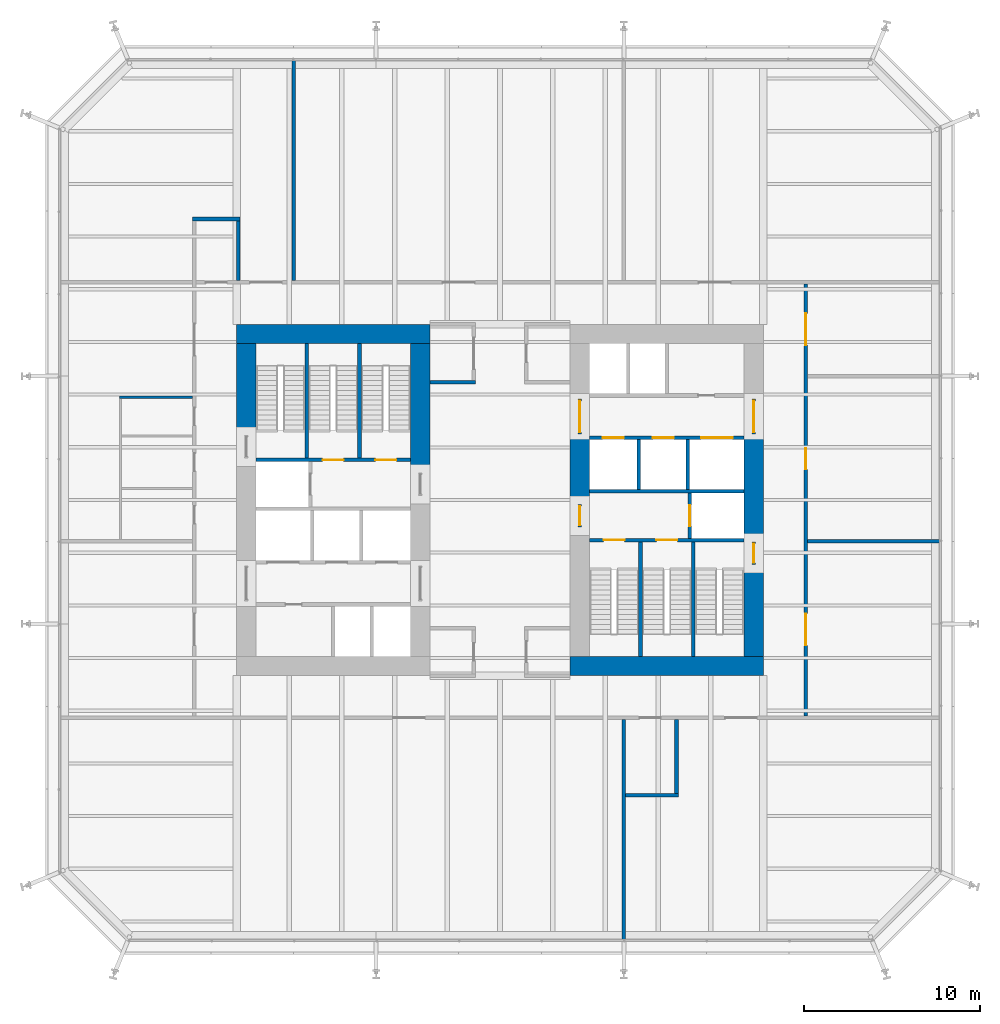
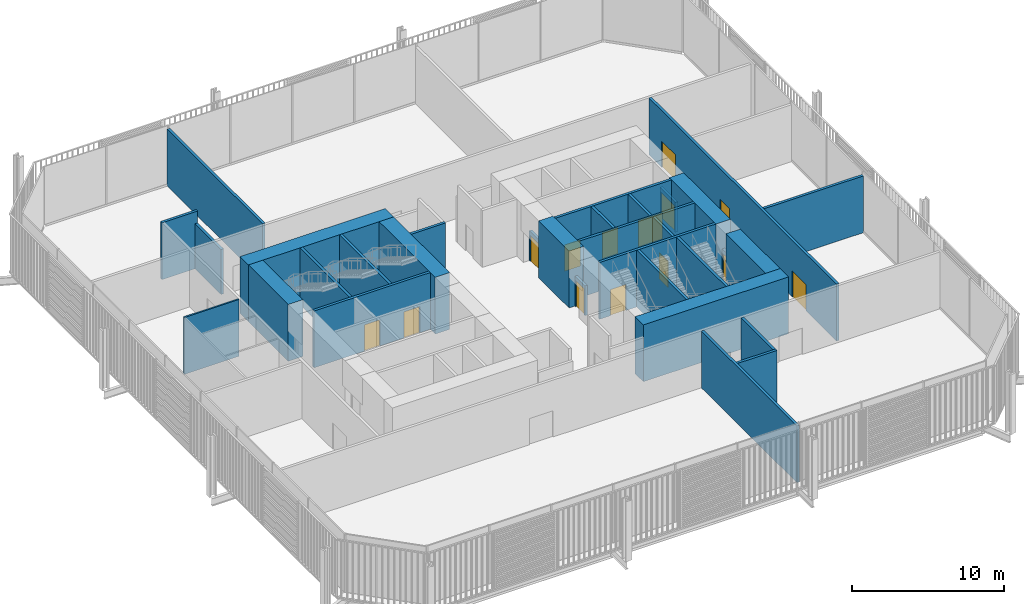
# One storey, part 19 of 22: 32 walls, 15 doors, 15 openings.
"""IFC4 building model written with IfcOpenShell, lengths in metres."""

from ifc_helpers import new_model, si_unit, direction, frame, frame_2d, origin, place, context, subcontext, project, spatial, rectangle, extrude, material, layer, layer_set, type_object, element, fill, save


model = new_model("IFC4")

# Units and contexts
model_context = context("Model", 3, precision=1e-05, world=origin(), true_north=direction((0.0, 1.0)))
body_context = subcontext(model_context, "Body", "Model", "MODEL_VIEW")
ifc_project = project(units=[si_unit("LENGTHUNIT", "METRE"), si_unit("AREAUNIT", "SQUARE_METRE"), si_unit("VOLUMEUNIT", "CUBIC_METRE"), si_unit("PLANEANGLEUNIT", "RADIAN"), si_unit("MASSUNIT", "GRAM", prefix="KILO")], contexts=[model_context])

# Site, building, storey
site_placement = place(None, origin())
site = spatial("IfcSite", under=ifc_project, at=site_placement, CompositionType="ELEMENT")
building_placement = place(site_placement, origin())
building = spatial("IfcBuilding", under=site, at=building_placement, Name="Millrace Tower", CompositionType="ELEMENT")
storey_placement = place(building_placement, frame((0.0, 0.0, 59.300048828125)))
storey = spatial("IfcBuildingStorey", under=building, at=storey_placement, Name="L13", CompositionType="ELEMENT", Elevation=59.300048828125)

# Walls
ifc_material_1 = material(Name="Concrete C80", Category="concrete")
ifc_layer_1 = layer(ifc_material_1, 1.10009765625)
ifc_layer_set_1 = layer_set([ifc_layer_1], Name="Concrete C80")
wall_type_1 = type_object("IfcWallType", Name="Core wall 1100 Concrete C80", PredefinedType="SHEAR", material=ifc_layer_set_1)
wall_1_placement = place(storey_placement, frame((-15.0, 9.449951171875, 0.0), z_axis=(0.0, 0.0, 1.0), x_axis=(1.0, 0.0, 0.0)))
element("IfcWall", 1, at=wall_1_placement, inside=storey, type_object=wall_type_1, Name="Core wall W L13", PredefinedType="SHEAR", context=body_context, shape_type="SweptSolid", body=[
    extrude(rectangle(XDim=11.0, YDim=1.10009765625, at=frame_2d((5.5, 0.0))), origin(), (0.0, 0.0, 1.0), 4.550048828125),
])
wall_2_placement = place(storey_placement, frame((-14.449951171875, 3.679931640625, 0.0), z_axis=(0.0, 0.0, 1.0), x_axis=(0.0, 1.0, 0.0)))
element("IfcWall", 2, at=wall_2_placement, inside=storey, type_object=wall_type_1, Name="Core wall W L13", PredefinedType="SHEAR", context=body_context, shape_type="SweptSolid", body=[
    extrude(rectangle(XDim=5.219970703125, YDim=1.10009765625, at=frame_2d((2.60986328125, 0.0))), origin(), (0.0, 0.0, 1.0), 4.550048828125),
])
wall_3_placement = place(storey_placement, frame((-4.550048828125, 1.550048828125, 0.0), z_axis=(0.0, 0.0, 1.0), x_axis=(0.0, 1.0, 0.0)))
element("IfcWall", 3, at=wall_3_placement, inside=storey, type_object=wall_type_1, Name="Core wall W L13", PredefinedType="SHEAR", context=body_context, shape_type="SweptSolid", body=[
    extrude(rectangle(XDim=7.349853515625, YDim=1.10009765625, at=frame_2d((3.6748046875, 0.0))), origin(), (0.0, 0.0, 1.0), 4.550048828125),
])
wall_4_placement = place(storey_placement, frame((15.0, -9.449951171875, 0.0), z_axis=(0.0, 0.0, 1.0), x_axis=(-1.0, 0.0, 0.0)))
element("IfcWall", 4, at=wall_4_placement, inside=storey, type_object=wall_type_1, Name="Core wall E L13", PredefinedType="SHEAR", context=body_context, shape_type="SweptSolid", body=[
    extrude(rectangle(XDim=11.0, YDim=1.10009765625, at=frame_2d((5.5, 0.0))), origin(), (0.0, 0.0, 1.0), 4.550048828125),
])
wall_5_placement = place(storey_placement, frame((14.449951171875, 3.75, 0.0), z_axis=(0.0, 0.0, 1.0), x_axis=(0.0, -1.0, 0.0)))
element("IfcWall", 5, at=wall_5_placement, inside=storey, type_object=wall_type_1, Name="Core wall E L13", PredefinedType="SHEAR", context=body_context, shape_type="SweptSolid", body=[
    extrude(rectangle(XDim=6.1298828125, YDim=1.10009765625, at=frame_2d((3.06494140625, 0.0))), origin(), (0.0, 0.0, 1.0), 4.550048828125),
])
wall_6_placement = place(storey_placement, frame((14.449951171875, -3.679931640625, 0.0), z_axis=(0.0, 0.0, 1.0), x_axis=(0.0, -1.0, 0.0)))
element("IfcWall", 6, at=wall_6_placement, inside=storey, type_object=wall_type_1, Name="Core wall E L13", PredefinedType="SHEAR", context=body_context, shape_type="SweptSolid", body=[
    extrude(rectangle(XDim=5.219970703125, YDim=1.10009765625, at=frame_2d((2.60986328125, 0.0))), origin(), (0.0, 0.0, 1.0), 4.550048828125),
])
wall_7_placement = place(storey_placement, frame((4.550048828125, 3.75, 0.0), z_axis=(0.0, 0.0, 1.0), x_axis=(0.0, -1.0, 0.0)))
element("IfcWall", 7, at=wall_7_placement, inside=storey, type_object=wall_type_1, Name="Core wall E L13", PredefinedType="SHEAR", context=body_context, shape_type="SweptSolid", body=[
    extrude(rectangle(XDim=4.0, YDim=1.10009765625, at=frame_2d((2.0, 0.0))), origin(), (0.0, 0.0, 1.0), 4.550048828125),
])
ifc_material_2 = material(Name="Masonry partition, fire-rated", Category="masonry")
ifc_layer_2 = layer(ifc_material_2, 0.199951171875)
ifc_layer_set_2 = layer_set([ifc_layer_2], Name="Masonry partition, fire-rated")
wall_type_2 = type_object("IfcWallType", Name="Corridor wall 200", PredefinedType="PARTITIONING", material=ifc_layer_set_2)
wall_8_placement = place(storey_placement, frame((7.14990234375, -16.800048828125, 0.0), z_axis=(0.0, 0.0, 1.0), x_axis=(1.0, 0.0, 0.0)))
element("IfcWall", 8, at=wall_8_placement, inside=storey, type_object=wall_type_2, Name="Corridor wall L13", PredefinedType="PARTITIONING", context=body_context, shape_type="SweptSolid", body=[
    extrude(rectangle(XDim=3.0, YDim=0.199951171875, at=frame_2d((1.5, 0.0))), origin(), (0.0, 0.0, 1.0), 4.550048828125),
])
wall_9_placement = place(storey_placement, frame((17.5, -2.35009765625, 0.0), z_axis=(0.0, 0.0, 1.0), x_axis=(1.0, 0.0, 0.0)))
element("IfcWall", 9, at=wall_9_placement, inside=storey, type_object=wall_type_2, Name="Corridor wall L13", PredefinedType="PARTITIONING", context=body_context, shape_type="SweptSolid", body=[
    extrude(rectangle(XDim=7.530029296875, YDim=0.199951171875, at=frame_2d((3.76513671875, 0.0))), origin(), (0.0, 0.0, 1.0), 4.550048828125),
])
wall_10_placement = place(storey_placement, frame((-4.0, 6.699951171875, 0.0), z_axis=(0.0, 0.0, 1.0), x_axis=(1.0, 0.0, 0.0)))
element("IfcWall", 10, at=wall_10_placement, inside=storey, type_object=wall_type_2, Name="Corridor wall L13", PredefinedType="PARTITIONING", context=body_context, shape_type="SweptSolid", body=[
    extrude(rectangle(XDim=2.60009765625, YDim=0.199951171875, at=frame_2d((1.300048828125, 0.0))), origin(), (0.0, 0.0, 1.0), 4.550048828125),
])
wall_11_placement = place(storey_placement, frame((-17.5, 16.0, 0.0), z_axis=(0.0, 0.0, 1.0), x_axis=(1.0, 0.0, 0.0)))
element("IfcWall", 11, at=wall_11_placement, inside=storey, type_object=wall_type_2, Name="Corridor wall L13", PredefinedType="PARTITIONING", context=body_context, shape_type="SweptSolid", body=[
    extrude(rectangle(XDim=2.699951171875, YDim=0.199951171875, at=frame_2d((1.35009765625, 0.0))), origin(), (0.0, 0.0, 1.0), 4.550048828125),
])

# Wall, openings, doors
wall_12_placement = place(storey_placement, frame((17.39990234375, -12.300048828125, 0.0), z_axis=(0.0, 0.0, 1.0), x_axis=(0.0, 1.0, 0.0)))
wall_12 = element("IfcWall", 12, at=wall_12_placement, inside=storey, type_object=wall_type_2, Name="Corridor wall L13", PredefinedType="PARTITIONING", context=body_context, shape_type="SweptSolid", body=[
    extrude(rectangle(XDim=24.60009765625, YDim=0.199951171875, at=frame_2d((12.300048828125, 0.0))), origin(), (0.0, 0.0, 1.0), 4.550048828125),
])
opening_1_placement = place(wall_12_placement, frame((4.02490234375, 0.0, 0.0)))
opening_1 = element("IfcOpeningElement", 13, at=opening_1_placement, cuts=wall_12, Name="Opening 13-P012", PredefinedType="OPENING", context=body_context, shape_type="SweptSolid", body=[
    extrude(rectangle(XDim=1.800048828125, YDim=2.10009765625, at=frame_2d((0.89990234375, 1.050048828125))), frame((0.0, 0.10986328125, 0.0), z_axis=(0.0, -1.0, 0.0), x_axis=(1.0, 0.0, 0.0)), (0.0, 0.0, 1.0), 0.219970703125),
])
opening_2_placement = place(wall_12_placement, frame((14.050048828125, 0.0, 0.0)))
opening_2 = element("IfcOpeningElement", 14, at=opening_2_placement, cuts=wall_12, Name="Opening 13-P013", PredefinedType="OPENING", context=body_context, shape_type="SweptSolid", body=[
    extrude(rectangle(XDim=1.199951171875, YDim=2.10009765625, at=frame_2d((0.60009765625, 1.050048828125))), frame((0.0, 0.10986328125, 0.0), z_axis=(0.0, -1.0, 0.0), x_axis=(1.0, 0.0, 0.0)), (0.0, 0.0, 1.0), 0.219970703125),
])
opening_3_placement = place(wall_12_placement, frame((21.125, 0.0, 0.0)))
opening_3 = element("IfcOpeningElement", 15, at=opening_3_placement, cuts=wall_12, Name="Opening 13-P014", PredefinedType="OPENING", context=body_context, shape_type="SweptSolid", body=[
    extrude(rectangle(XDim=1.800048828125, YDim=2.10009765625, at=frame_2d((0.89990234375, 1.050048828125))), frame((0.0, 0.10986328125, 0.0), z_axis=(0.0, -1.0, 0.0), x_axis=(1.0, 0.0, 0.0)), (0.0, 0.0, 1.0), 0.219970703125),
])
ifc_material_3 = material(Name="Steel door set, fire-rated", Category="steel")
door_type_1 = type_object("IfcDoorType", Name="Corridor door 1200 x 2100", OperationType="SINGLE_SWING_LEFT", PredefinedType="DOOR", material=ifc_material_3)
door_1_placement = place(opening_2_placement, frame((1.199951171875, 0.0, 0.0), z_axis=(0.0, 0.0, 1.0), x_axis=(-1.0, 0.0, 0.0)))
door_1 = element("IfcDoor", 16, at=door_1_placement, inside=storey, type_object=door_type_1, Name="Door 13-P013", OperationType="SINGLE_SWING_LEFT", OverallHeight=2.10009765625, OverallWidth=1.199951171875, PredefinedType="DOOR", context=body_context, shape_type="SweptSolid", body=[
    extrude(rectangle(XDim=1.199951171875, YDim=2.10009765625, at=frame_2d((0.60009765625, 1.050048828125))), frame((0.0, 0.02490234375, 0.0), z_axis=(0.0, -1.0, 0.0), x_axis=(1.0, 0.0, 0.0)), (0.0, 0.0, 1.0), 0.050048828125),
])
fill(opening_2, door_1)
ifc_material_4 = material(Name="Steel door set, fire-rated", Category="steel")
door_type_2 = type_object("IfcDoorType", Name="Data hall door 1800 x 2100", OperationType="DOUBLE_DOOR_SINGLE_SWING", PredefinedType="DOOR", material=ifc_material_4)
door_2_placement = place(opening_1_placement, frame((1.800048828125, 0.0, 0.0), z_axis=(0.0, 0.0, 1.0), x_axis=(-1.0, 0.0, 0.0)))
door_2 = element("IfcDoor", 17, at=door_2_placement, inside=storey, type_object=door_type_2, Name="Door 13-P012", OperationType="DOUBLE_DOOR_SINGLE_SWING", OverallHeight=2.10009765625, OverallWidth=1.800048828125, PredefinedType="DOOR", context=body_context, shape_type="SweptSolid", body=[
    extrude(rectangle(XDim=1.800048828125, YDim=2.10009765625, at=frame_2d((0.89990234375, 1.050048828125))), frame((0.0, 0.02490234375, 0.0), z_axis=(0.0, -1.0, 0.0), x_axis=(1.0, 0.0, 0.0)), (0.0, 0.0, 1.0), 0.050048828125),
])
fill(opening_1, door_2)
door_3_placement = place(opening_3_placement, frame((1.800048828125, 0.0, 0.0), z_axis=(0.0, 0.0, 1.0), x_axis=(-1.0, 0.0, 0.0)))
door_3 = element("IfcDoor", 18, at=door_3_placement, inside=storey, type_object=door_type_2, Name="Door 13-P014", OperationType="DOUBLE_DOOR_SINGLE_SWING", OverallHeight=2.10009765625, OverallWidth=1.800048828125, PredefinedType="DOOR", context=body_context, shape_type="SweptSolid", body=[
    extrude(rectangle(XDim=1.800048828125, YDim=2.10009765625, at=frame_2d((0.89990234375, 1.050048828125))), frame((0.0, 0.02490234375, 0.0), z_axis=(0.0, -1.0, 0.0), x_axis=(1.0, 0.0, 0.0)), (0.0, 0.0, 1.0), 0.050048828125),
])
fill(opening_3, door_3)

# Walls
wall_13_placement = place(storey_placement, frame((10.050048828125, -16.699951171875, 0.0), z_axis=(0.0, 0.0, 1.0), x_axis=(0.0, 1.0, 0.0)))
element("IfcWall", 19, at=wall_13_placement, inside=storey, type_object=wall_type_2, Name="Corridor wall L13", PredefinedType="PARTITIONING", context=body_context, shape_type="SweptSolid", body=[
    extrude(rectangle(XDim=4.199951171875, YDim=0.199951171875, at=frame_2d((2.10009765625, 0.0))), origin(), (0.0, 0.0, 1.0), 4.550048828125),
])
for number, where, z_axis, x_axis, name in (
    (20, (7.050048828125, -25.030029296875, 0.0), (0.0, 0.0, 1.0), (0.0, 1.0, 0.0), "Corridor wall L13"),
    (21, (-11.75, 12.5, 0.0), (0.0, 0.0, 1.0), (0.0, 1.0, 0.0), "Corridor wall L13"),
):
    element("IfcWall", number, at=place(storey_placement, frame(where, z_axis=z_axis, x_axis=x_axis)), inside=storey, type_object=wall_type_2, Name=name, PredefinedType="PARTITIONING", context=body_context, shape_type="SweptSolid", body=[
        extrude(rectangle(XDim=12.530029296875, YDim=0.199951171875, at=frame_2d((6.26513671875, 0.0))), origin(), (0.0, 0.0, 1.0), 4.550048828125),
    ])
wall_14_placement = place(storey_placement, frame((-14.89990234375, 12.5, 0.0), z_axis=(0.0, 0.0, 1.0), x_axis=(0.0, 1.0, 0.0)))
element("IfcWall", 22, at=wall_14_placement, inside=storey, type_object=wall_type_2, Name="Corridor wall L13", PredefinedType="PARTITIONING", context=body_context, shape_type="SweptSolid", body=[
    extrude(rectangle(XDim=3.39990234375, YDim=0.199951171875, at=frame_2d((1.699951171875, 0.0))), origin(), (0.0, 0.0, 1.0), 3.6025390625),
])

# Wall, openings, doors
ifc_material_5 = material(Name="Masonry partition, fire-rated", Category="masonry")
ifc_layer_3 = layer(ifc_material_5, 0.199951171875)
ifc_layer_set_3 = layer_set([ifc_layer_3], Name="Masonry partition, fire-rated")
wall_type_3 = type_object("IfcWallType", Name="Lift shaft wall 200", PredefinedType="PARTITIONING", material=ifc_layer_set_3)
wall_15_placement = place(storey_placement, frame((13.89990234375, 3.550048828125, 0.0), z_axis=(0.0, 0.0, 1.0), x_axis=(-1.0, 0.0, 0.0)))
wall_15 = element("IfcWall", 23, at=wall_15_placement, inside=storey, type_object=wall_type_3, Name="Lift shaft wall E L13", PredefinedType="PARTITIONING", context=body_context, shape_type="SweptSolid", body=[
    extrude(rectangle(XDim=8.7998046875, YDim=0.199951171875, at=frame_2d((4.39990234375, 0.0))), origin(), (0.0, 0.0, 1.0), 4.550048828125),
])
opening_4_placement = place(wall_15_placement, frame((0.64990234375, 0.0, 0.0)))
opening_4 = element("IfcOpeningElement", 24, at=opening_4_placement, cuts=wall_15, Name="Opening 13-LD13", PredefinedType="OPENING", context=body_context, shape_type="SweptSolid", body=[
    extrude(rectangle(XDim=1.800048828125, YDim=2.10009765625, at=frame_2d((0.89990234375, 1.050048828125))), frame((0.0, 0.10986328125, 0.0), z_axis=(0.0, -1.0, 0.0), x_axis=(1.0, 0.0, 0.0)), (0.0, 0.0, 1.0), 0.219970703125),
])
opening_5_placement = place(wall_15_placement, frame((4.0, 0.0, 0.0)))
opening_5 = element("IfcOpeningElement", 25, at=opening_5_placement, cuts=wall_15, Name="Opening 13-LD14", PredefinedType="OPENING", context=body_context, shape_type="SweptSolid", body=[
    extrude(rectangle(XDim=1.199951171875, YDim=2.10009765625, at=frame_2d((0.60009765625, 1.050048828125))), frame((0.0, 0.10986328125, 0.0), z_axis=(0.0, -1.0, 0.0), x_axis=(1.0, 0.0, 0.0)), (0.0, 0.0, 1.0), 0.219970703125),
])
opening_6_placement = place(wall_15_placement, frame((6.85009765625, 0.0, 0.0)))
opening_6 = element("IfcOpeningElement", 26, at=opening_6_placement, cuts=wall_15, Name="Opening 13-LD15", PredefinedType="OPENING", context=body_context, shape_type="SweptSolid", body=[
    extrude(rectangle(XDim=1.199951171875, YDim=2.10009765625, at=frame_2d((0.60009765625, 1.050048828125))), frame((0.0, 0.10986328125, 0.0), z_axis=(0.0, -1.0, 0.0), x_axis=(1.0, 0.0, 0.0)), (0.0, 0.0, 1.0), 0.219970703125),
])
ifc_material_6 = material(Name="Stainless steel, fire-rated", Category="steel")
door_type_3 = type_object("IfcDoorType", Name="Lift landing door 1200 x 2100", OperationType="DOUBLE_DOOR_SLIDING", PredefinedType="DOOR", material=ifc_material_6)
door_4_placement = place(opening_5_placement, origin())
door_4 = element("IfcDoor", 27, at=door_4_placement, inside=storey, type_object=door_type_3, Name="Lift landing door LF14 L13", OperationType="DOUBLE_DOOR_SLIDING", OverallHeight=2.10009765625, OverallWidth=1.199951171875, PredefinedType="DOOR", context=body_context, shape_type="SweptSolid", body=[
    extrude(rectangle(XDim=1.199951171875, YDim=2.10009765625, at=frame_2d((0.60009765625, 1.050048828125))), frame((0.0, 0.02490234375, 0.0), z_axis=(0.0, -1.0, 0.0), x_axis=(1.0, 0.0, 0.0)), (0.0, 0.0, 1.0), 0.050048828125),
])
fill(opening_5, door_4)
door_5_placement = place(opening_6_placement, origin())
door_5 = element("IfcDoor", 28, at=door_5_placement, inside=storey, type_object=door_type_3, Name="Lift landing door LF15 L13", OperationType="DOUBLE_DOOR_SLIDING", OverallHeight=2.10009765625, OverallWidth=1.199951171875, PredefinedType="DOOR", context=body_context, shape_type="SweptSolid", body=[
    extrude(rectangle(XDim=1.199951171875, YDim=2.10009765625, at=frame_2d((0.60009765625, 1.050048828125))), frame((0.0, 0.02490234375, 0.0), z_axis=(0.0, -1.0, 0.0), x_axis=(1.0, 0.0, 0.0)), (0.0, 0.0, 1.0), 0.050048828125),
])
fill(opening_6, door_5)
ifc_material_7 = material(Name="Stainless steel, fire-rated", Category="steel")
door_type_4 = type_object("IfcDoorType", Name="Lift landing door 1800 x 2100", OperationType="DOUBLE_DOOR_SLIDING", PredefinedType="DOOR", material=ifc_material_7)
door_6_placement = place(opening_4_placement, origin())
door_6 = element("IfcDoor", 29, at=door_6_placement, inside=storey, type_object=door_type_4, Name="Lift landing door LF13 L13", OperationType="DOUBLE_DOOR_SLIDING", OverallHeight=2.10009765625, OverallWidth=1.800048828125, PredefinedType="DOOR", context=body_context, shape_type="SweptSolid", body=[
    extrude(rectangle(XDim=1.800048828125, YDim=2.10009765625, at=frame_2d((0.89990234375, 1.050048828125))), frame((0.0, 0.02490234375, 0.0), z_axis=(0.0, -1.0, 0.0), x_axis=(1.0, 0.0, 0.0)), (0.0, 0.0, 1.0), 0.050048828125),
])
fill(opening_4, door_6)

# Wall
wall_16_placement = place(storey_placement, frame((13.89990234375, 0.5, 0.0), z_axis=(0.0, 0.0, 1.0), x_axis=(-1.0, 0.0, 0.0)))
element("IfcWall", 30, at=wall_16_placement, inside=storey, type_object=wall_type_3, Name="Lift shaft wall E L13", PredefinedType="PARTITIONING", context=body_context, shape_type="SweptSolid", body=[
    extrude(rectangle(XDim=8.7998046875, YDim=0.199951171875, at=frame_2d((4.39990234375, 0.0))), origin(), (0.0, 0.0, 1.0), 4.550048828125),
])

# Wall, opening, door
wall_17_placement = place(storey_placement, frame((10.800048828125, 0.39990234375, 0.0), z_axis=(0.0, 0.0, 1.0), x_axis=(0.0, -1.0, 0.0)))
wall_17 = element("IfcWall", 31, at=wall_17_placement, inside=storey, type_object=wall_type_3, Name="Lift shaft wall E L13", PredefinedType="PARTITIONING", context=body_context, shape_type="SweptSolid", body=[
    extrude(rectangle(XDim=2.579833984375, YDim=0.199951171875, at=frame_2d((1.2900390625, 0.0))), origin(), (0.0, 0.0, 1.0), 4.550048828125),
])
opening_7_placement = place(wall_17_placement, frame((0.68994140625, 0.0, 0.0)))
opening_7 = element("IfcOpeningElement", 32, at=opening_7_placement, cuts=wall_17, Name="Opening 13-LD16", PredefinedType="OPENING", context=body_context, shape_type="SweptSolid", body=[
    extrude(rectangle(XDim=1.199951171875, YDim=2.10009765625, at=frame_2d((0.60009765625, 1.050048828125))), frame((0.0, 0.10986328125, 0.0), z_axis=(0.0, -1.0, 0.0), x_axis=(1.0, 0.0, 0.0)), (0.0, 0.0, 1.0), 0.219970703125),
])
door_7_placement = place(opening_7_placement, origin())
door_7 = element("IfcDoor", 33, at=door_7_placement, inside=storey, type_object=door_type_3, Name="Lift landing door LF16 L13", OperationType="DOUBLE_DOOR_SLIDING", OverallHeight=2.10009765625, OverallWidth=1.199951171875, PredefinedType="DOOR", context=body_context, shape_type="SweptSolid", body=[
    extrude(rectangle(XDim=1.199951171875, YDim=2.10009765625, at=frame_2d((0.60009765625, 1.050048828125))), frame((0.0, 0.02490234375, 0.0), z_axis=(0.0, -1.0, 0.0), x_axis=(1.0, 0.0, 0.0)), (0.0, 0.0, 1.0), 0.050048828125),
])
fill(opening_7, door_7)

# Walls
for number, where, z_axis, x_axis, name in (
    (34, (10.699951171875, 3.449951171875, 0.0), (0.0, 0.0, 1.0), (0.0, -1.0, 0.0), "Lift shaft wall E L13"),
    (35, (7.89990234375, 3.449951171875, 0.0), (0.0, 0.0, 1.0), (0.0, -1.0, 0.0), "Lift shaft wall E L13"),
):
    element("IfcWall", number, at=place(storey_placement, frame(where, z_axis=z_axis, x_axis=x_axis)), inside=storey, type_object=wall_type_3, Name=name, PredefinedType="PARTITIONING", context=body_context, shape_type="SweptSolid", body=[
        extrude(rectangle(XDim=2.849853515625, YDim=0.199951171875, at=frame_2d((1.4248046875, 0.0))), origin(), (0.0, 0.0, 1.0), 4.550048828125),
    ])

# Wall, opening, door
ifc_material_8 = material(Name="Masonry partition, fire-rated", Category="masonry")
ifc_layer_4 = layer(ifc_material_8, 0.199951171875)
ifc_layer_set_4 = layer_set([ifc_layer_4], Name="Masonry partition, fire-rated")
wall_type_4 = type_object("IfcWallType", Name="Lobby wall 200", PredefinedType="PARTITIONING", material=ifc_layer_set_4)
wall_18_placement = place(storey_placement, frame((14.449951171875, 5.75, 0.0), z_axis=(0.0, 0.0, 1.0), x_axis=(0.0, -1.0, 0.0)))
wall_18 = element("IfcWall", 36, at=wall_18_placement, inside=storey, type_object=wall_type_4, Name="Lobby wall E L13", PredefinedType="PARTITIONING", context=body_context, shape_type="SweptSolid", body=[
    extrude(rectangle(XDim=2.0, YDim=0.199951171875, at=frame_2d((1.0, 0.0))), origin(), (0.0, 0.0, 1.0), 2.39990234375),
])
opening_8_placement = place(wall_18_placement, frame((0.10009765625, 0.0, 0.0)))
opening_8 = element("IfcOpeningElement", 37, at=opening_8_placement, cuts=wall_18, Name="Opening 13-C008", PredefinedType="OPENING", context=body_context, shape_type="SweptSolid", body=[
    extrude(rectangle(XDim=1.800048828125, YDim=2.10009765625, at=frame_2d((0.89990234375, 1.050048828125))), frame((0.0, 0.10986328125, 0.0), z_axis=(0.0, -1.0, 0.0), x_axis=(1.0, 0.0, 0.0)), (0.0, 0.0, 1.0), 0.219970703125),
])
ifc_material_9 = material(Name="Steel door, fire-rated", Category="steel")
door_type_5 = type_object("IfcDoorType", Name="Lobby door 1800 x 2100", OperationType="DOUBLE_DOOR_SINGLE_SWING", PredefinedType="DOOR", material=ifc_material_9)
door_8_placement = place(opening_8_placement, origin())
door_8 = element("IfcDoor", 38, at=door_8_placement, inside=storey, type_object=door_type_5, Name="Lobby door 13-C008", OperationType="DOUBLE_DOOR_SINGLE_SWING", OverallHeight=2.10009765625, OverallWidth=1.800048828125, PredefinedType="DOOR", context=body_context, shape_type="SweptSolid", body=[
    extrude(rectangle(XDim=1.800048828125, YDim=2.10009765625, at=frame_2d((0.89990234375, 1.050048828125))), frame((0.0, 0.02490234375, 0.0), z_axis=(0.0, -1.0, 0.0), x_axis=(1.0, 0.0, 0.0)), (0.0, 0.0, 1.0), 0.050048828125),
])
fill(opening_8, door_8)

wall_19_placement = place(storey_placement, frame((4.550048828125, 5.75, 0.0), z_axis=(0.0, 0.0, 1.0), x_axis=(0.0, -1.0, 0.0)))
wall_19 = element("IfcWall", 39, at=wall_19_placement, inside=storey, type_object=wall_type_4, Name="Lobby wall E L13", PredefinedType="PARTITIONING", context=body_context, shape_type="SweptSolid", body=[
    extrude(rectangle(XDim=2.0, YDim=0.199951171875, at=frame_2d((1.0, 0.0))), origin(), (0.0, 0.0, 1.0), 2.39990234375),
])
opening_9_placement = place(wall_19_placement, frame((0.10009765625, 0.0, 0.0)))
opening_9 = element("IfcOpeningElement", 40, at=opening_9_placement, cuts=wall_19, Name="Opening 13-C010", PredefinedType="OPENING", context=body_context, shape_type="SweptSolid", body=[
    extrude(rectangle(XDim=1.800048828125, YDim=2.10009765625, at=frame_2d((0.89990234375, 1.050048828125))), frame((0.0, 0.10986328125, 0.0), z_axis=(0.0, -1.0, 0.0), x_axis=(1.0, 0.0, 0.0)), (0.0, 0.0, 1.0), 0.219970703125),
])
door_9_placement = place(opening_9_placement, origin())
door_9 = element("IfcDoor", 41, at=door_9_placement, inside=storey, type_object=door_type_5, Name="Lobby door 13-C010", OperationType="DOUBLE_DOOR_SINGLE_SWING", OverallHeight=2.10009765625, OverallWidth=1.800048828125, PredefinedType="DOOR", context=body_context, shape_type="SweptSolid", body=[
    extrude(rectangle(XDim=1.800048828125, YDim=2.10009765625, at=frame_2d((0.89990234375, 1.050048828125))), frame((0.0, 0.02490234375, 0.0), z_axis=(0.0, -1.0, 0.0), x_axis=(1.0, 0.0, 0.0)), (0.0, 0.0, 1.0), 0.050048828125),
])
fill(opening_9, door_9)

wall_20_placement = place(storey_placement, frame((4.550048828125, -0.25, 0.0), z_axis=(0.0, 0.0, 1.0), x_axis=(0.0, -1.0, 0.0)))
wall_20 = element("IfcWall", 42, at=wall_20_placement, inside=storey, type_object=wall_type_4, Name="Lobby wall E L13", PredefinedType="PARTITIONING", context=body_context, shape_type="SweptSolid", body=[
    extrude(rectangle(XDim=1.300048828125, YDim=0.199951171875, at=frame_2d((0.64990234375, 0.0))), origin(), (0.0, 0.0, 1.0), 2.39990234375),
])
opening_10_placement = place(wall_20_placement, frame((0.10009765625, 0.0, 0.0)))
opening_10 = element("IfcOpeningElement", 43, at=opening_10_placement, cuts=wall_20, Name="Opening 13-C011", PredefinedType="OPENING", context=body_context, shape_type="SweptSolid", body=[
    extrude(rectangle(XDim=1.10009765625, YDim=2.10009765625, at=frame_2d((0.550048828125, 1.050048828125))), frame((0.0, 0.10986328125, 0.0), z_axis=(0.0, -1.0, 0.0), x_axis=(1.0, 0.0, 0.0)), (0.0, 0.0, 1.0), 0.219970703125),
])
ifc_material_10 = material(Name="Steel door, fire-rated", Category="steel")
door_type_6 = type_object("IfcDoorType", Name="Lobby door 1100 x 2100", OperationType="SINGLE_SWING_LEFT", PredefinedType="DOOR", material=ifc_material_10)
door_10_placement = place(opening_10_placement, origin())
door_10 = element("IfcDoor", 44, at=door_10_placement, inside=storey, type_object=door_type_6, Name="Lobby door 13-C011", OperationType="SINGLE_SWING_RIGHT", OverallHeight=2.10009765625, OverallWidth=1.10009765625, PredefinedType="DOOR", context=body_context, shape_type="SweptSolid", body=[
    extrude(rectangle(XDim=1.10009765625, YDim=2.10009765625, at=frame_2d((0.550048828125, 1.050048828125))), frame((0.0, 0.02490234375, 0.0), z_axis=(0.0, -1.0, 0.0), x_axis=(1.0, 0.0, 0.0)), (0.0, 0.0, 1.0), 0.050048828125),
])
fill(opening_10, door_10)

# Wall
ifc_material_11 = material(Name="Gypsum board partition")
ifc_layer_5 = layer(ifc_material_11, 0.1201171875)
ifc_layer_set_5 = layer_set([ifc_layer_5], Name="Gypsum board partition")
wall_type_5 = type_object("IfcWallType", Name="Partition wall 120", PredefinedType="PARTITIONING", material=ifc_layer_set_5)
wall_21_placement = place(storey_placement, frame((-21.659912109375, 5.85009765625, 0.0), z_axis=(0.0, 0.0, 1.0), x_axis=(1.0, 0.0, 0.0)))
element("IfcWall", 45, at=wall_21_placement, inside=storey, type_object=wall_type_5, Name="Partition wall L13", PredefinedType="PARTITIONING", context=body_context, shape_type="SweptSolid", body=[
    extrude(rectangle(XDim=4.159912109375, YDim=0.1201171875, at=frame_2d((2.080078125, 0.0))), origin(), (0.0, 0.0, 1.0), 4.550048828125),
])

# Wall, openings, doors
ifc_material_12 = material(Name="Concrete C40", Category="concrete")
ifc_layer_6 = layer(ifc_material_12, 0.199951171875)
ifc_layer_set_6 = layer_set([ifc_layer_6], Name="Concrete C40")
wall_type_6 = type_object("IfcWallType", Name="Stair enclosure wall 200 Concrete C40", PredefinedType="SHEAR", material=ifc_layer_set_6)
wall_22_placement = place(storey_placement, frame((-13.89990234375, 2.280029296875, 0.0), z_axis=(0.0, 0.0, 1.0), x_axis=(1.0, 0.0, 0.0)))
wall_22 = element("IfcWall", 46, at=wall_22_placement, inside=storey, type_object=wall_type_6, Name="Stair enclosure wall W L13", PredefinedType="SHEAR", context=body_context, shape_type="SweptSolid", body=[
    extrude(rectangle(XDim=8.7998046875, YDim=0.199951171875, at=frame_2d((4.39990234375, 0.0))), origin(), (0.0, 0.0, 1.0), 4.550048828125),
])
opening_11_placement = place(wall_22_placement, frame((3.800048828125, 0.0, 0.0)))
opening_11 = element("IfcOpeningElement", 47, at=opening_11_placement, cuts=wall_22, Name="Opening 13-C006", PredefinedType="OPENING", context=body_context, shape_type="SweptSolid", body=[
    extrude(rectangle(XDim=1.199951171875, YDim=2.10009765625, at=frame_2d((0.60009765625, 1.050048828125))), frame((0.0, 0.10986328125, 0.0), z_axis=(0.0, -1.0, 0.0), x_axis=(1.0, 0.0, 0.0)), (0.0, 0.0, 1.0), 0.219970703125),
])
opening_12_placement = place(wall_22_placement, frame((6.800048828125, 0.0, 0.0)))
opening_12 = element("IfcOpeningElement", 48, at=opening_12_placement, cuts=wall_22, Name="Opening 13-C007", PredefinedType="OPENING", context=body_context, shape_type="SweptSolid", body=[
    extrude(rectangle(XDim=1.199951171875, YDim=2.10009765625, at=frame_2d((0.60009765625, 1.050048828125))), frame((0.0, 0.10986328125, 0.0), z_axis=(0.0, -1.0, 0.0), x_axis=(1.0, 0.0, 0.0)), (0.0, 0.0, 1.0), 0.219970703125),
])
ifc_material_13 = material(Name="Steel door, fire-rated", Category="steel")
door_type_7 = type_object("IfcDoorType", Name="Stair door 1200 x 2100", OperationType="SINGLE_SWING_LEFT", PredefinedType="DOOR", material=ifc_material_13)
door_11_placement = place(opening_11_placement, frame((1.199951171875, 0.0, 0.0), z_axis=(0.0, 0.0, 1.0), x_axis=(-1.0, 0.0, 0.0)))
door_11 = element("IfcDoor", 49, at=door_11_placement, inside=storey, type_object=door_type_7, Name="Stair door 13-C006", OperationType="SINGLE_SWING_LEFT", OverallHeight=2.10009765625, OverallWidth=1.199951171875, PredefinedType="DOOR", context=body_context, shape_type="SweptSolid", body=[
    extrude(rectangle(XDim=1.199951171875, YDim=2.10009765625, at=frame_2d((0.60009765625, 1.050048828125))), frame((0.0, 0.02490234375, 0.0), z_axis=(0.0, -1.0, 0.0), x_axis=(1.0, 0.0, 0.0)), (0.0, 0.0, 1.0), 0.050048828125),
])
fill(opening_11, door_11)
door_12_placement = place(opening_12_placement, frame((1.199951171875, 0.0, 0.0), z_axis=(0.0, 0.0, 1.0), x_axis=(-1.0, 0.0, 0.0)))
door_12 = element("IfcDoor", 50, at=door_12_placement, inside=storey, type_object=door_type_7, Name="Stair door 13-C007", OperationType="SINGLE_SWING_LEFT", OverallHeight=2.10009765625, OverallWidth=1.199951171875, PredefinedType="DOOR", context=body_context, shape_type="SweptSolid", body=[
    extrude(rectangle(XDim=1.199951171875, YDim=2.10009765625, at=frame_2d((0.60009765625, 1.050048828125))), frame((0.0, 0.02490234375, 0.0), z_axis=(0.0, -1.0, 0.0), x_axis=(1.0, 0.0, 0.0)), (0.0, 0.0, 1.0), 0.050048828125),
])
fill(opening_12, door_12)

# Walls
for number, where, z_axis, x_axis, name in (
    (51, (-11.0, 2.3798828125, 0.0), (0.0, 0.0, 1.0), (0.0, 1.0, 0.0), "Stair enclosure wall W L13"),
    (52, (-8.0, 2.3798828125, 0.0), (0.0, 0.0, 1.0), (0.0, 1.0, 0.0), "Stair enclosure wall W L13"),
):
    element("IfcWall", number, at=place(storey_placement, frame(where, z_axis=z_axis, x_axis=x_axis)), inside=storey, type_object=wall_type_6, Name=name, PredefinedType="SHEAR", context=body_context, shape_type="SweptSolid", body=[
        extrude(rectangle(XDim=6.52001953125, YDim=0.199951171875, at=frame_2d((3.260009765625, 0.0))), origin(), (0.0, 0.0, 1.0), 4.550048828125),
    ])

# Wall, opening, door
wall_23_placement = place(storey_placement, frame((14.449951171875, -2.3798828125, 0.0), z_axis=(0.0, 0.0, 1.0), x_axis=(0.0, -1.0, 0.0)))
wall_23 = element("IfcWall", 53, at=wall_23_placement, inside=storey, type_object=wall_type_6, Name="Stair enclosure wall E L13", PredefinedType="SHEAR", context=body_context, shape_type="SweptSolid", body=[
    extrude(rectangle(XDim=1.300048828125, YDim=0.199951171875, at=frame_2d((0.64990234375, 0.0))), origin(), (0.0, 0.0, 1.0), 2.39990234375),
])
opening_13_placement = place(wall_23_placement, frame((0.10009765625, 0.0, 0.0)))
opening_13 = element("IfcOpeningElement", 54, at=opening_13_placement, cuts=wall_23, Name="Opening 13-C009", PredefinedType="OPENING", context=body_context, shape_type="SweptSolid", body=[
    extrude(rectangle(XDim=1.10009765625, YDim=2.10009765625, at=frame_2d((0.550048828125, 1.050048828125))), frame((0.0, 0.10986328125, 0.0), z_axis=(0.0, -1.0, 0.0), x_axis=(1.0, 0.0, 0.0)), (0.0, 0.0, 1.0), 0.219970703125),
])
ifc_material_14 = material(Name="Steel door, fire-rated", Category="steel")
door_type_8 = type_object("IfcDoorType", Name="Stair door 1100 x 2100", OperationType="SINGLE_SWING_LEFT", PredefinedType="DOOR", material=ifc_material_14)
door_13_placement = place(opening_13_placement, origin())
door_13 = element("IfcDoor", 55, at=door_13_placement, inside=storey, type_object=door_type_8, Name="Stair door 13-C009", OperationType="SINGLE_SWING_RIGHT", OverallHeight=2.10009765625, OverallWidth=1.10009765625, PredefinedType="DOOR", context=body_context, shape_type="SweptSolid", body=[
    extrude(rectangle(XDim=1.10009765625, YDim=2.10009765625, at=frame_2d((0.550048828125, 1.050048828125))), frame((0.0, 0.02490234375, 0.0), z_axis=(0.0, -1.0, 0.0), x_axis=(1.0, 0.0, 0.0)), (0.0, 0.0, 1.0), 0.050048828125),
])
fill(opening_13, door_13)

# Wall, openings, doors
wall_24_placement = place(storey_placement, frame((13.89990234375, -2.280029296875, 0.0), z_axis=(0.0, 0.0, 1.0), x_axis=(-1.0, 0.0, 0.0)))
wall_24 = element("IfcWall", 56, at=wall_24_placement, inside=storey, type_object=wall_type_6, Name="Stair enclosure wall E L13", PredefinedType="SHEAR", context=body_context, shape_type="SweptSolid", body=[
    extrude(rectangle(XDim=8.7998046875, YDim=0.199951171875, at=frame_2d((4.39990234375, 0.0))), origin(), (0.0, 0.0, 1.0), 4.550048828125),
])
opening_14_placement = place(wall_24_placement, frame((3.800048828125, 0.0, 0.0)))
opening_14 = element("IfcOpeningElement", 57, at=opening_14_placement, cuts=wall_24, Name="Opening 13-C013", PredefinedType="OPENING", context=body_context, shape_type="SweptSolid", body=[
    extrude(rectangle(XDim=1.199951171875, YDim=2.10009765625, at=frame_2d((0.60009765625, 1.050048828125))), frame((0.0, 0.10986328125, 0.0), z_axis=(0.0, -1.0, 0.0), x_axis=(1.0, 0.0, 0.0)), (0.0, 0.0, 1.0), 0.219970703125),
])
opening_15_placement = place(wall_24_placement, frame((6.800048828125, 0.0, 0.0)))
opening_15 = element("IfcOpeningElement", 58, at=opening_15_placement, cuts=wall_24, Name="Opening 13-C014", PredefinedType="OPENING", context=body_context, shape_type="SweptSolid", body=[
    extrude(rectangle(XDim=1.199951171875, YDim=2.10009765625, at=frame_2d((0.60009765625, 1.050048828125))), frame((0.0, 0.10986328125, 0.0), z_axis=(0.0, -1.0, 0.0), x_axis=(1.0, 0.0, 0.0)), (0.0, 0.0, 1.0), 0.219970703125),
])
door_14_placement = place(opening_14_placement, frame((1.199951171875, 0.0, 0.0), z_axis=(0.0, 0.0, 1.0), x_axis=(-1.0, 0.0, 0.0)))
door_14 = element("IfcDoor", 59, at=door_14_placement, inside=storey, type_object=door_type_7, Name="Stair door 13-C013", OperationType="SINGLE_SWING_LEFT", OverallHeight=2.10009765625, OverallWidth=1.199951171875, PredefinedType="DOOR", context=body_context, shape_type="SweptSolid", body=[
    extrude(rectangle(XDim=1.199951171875, YDim=2.10009765625, at=frame_2d((0.60009765625, 1.050048828125))), frame((0.0, 0.02490234375, 0.0), z_axis=(0.0, -1.0, 0.0), x_axis=(1.0, 0.0, 0.0)), (0.0, 0.0, 1.0), 0.050048828125),
])
fill(opening_14, door_14)
door_15_placement = place(opening_15_placement, frame((1.199951171875, 0.0, 0.0), z_axis=(0.0, 0.0, 1.0), x_axis=(-1.0, 0.0, 0.0)))
door_15 = element("IfcDoor", 60, at=door_15_placement, inside=storey, type_object=door_type_7, Name="Stair door 13-C014", OperationType="SINGLE_SWING_LEFT", OverallHeight=2.10009765625, OverallWidth=1.199951171875, PredefinedType="DOOR", context=body_context, shape_type="SweptSolid", body=[
    extrude(rectangle(XDim=1.199951171875, YDim=2.10009765625, at=frame_2d((0.60009765625, 1.050048828125))), frame((0.0, 0.02490234375, 0.0), z_axis=(0.0, -1.0, 0.0), x_axis=(1.0, 0.0, 0.0)), (0.0, 0.0, 1.0), 0.050048828125),
])
fill(opening_15, door_15)

# Walls
for number, where, z_axis, x_axis, name in (
    (61, (11.0, -2.3798828125, 0.0), (0.0, 0.0, 1.0), (0.0, -1.0, 0.0), "Stair enclosure wall E L13"),
    (62, (8.0, -2.3798828125, 0.0), (0.0, 0.0, 1.0), (0.0, -1.0, 0.0), "Stair enclosure wall E L13"),
):
    element("IfcWall", number, at=place(storey_placement, frame(where, z_axis=z_axis, x_axis=x_axis)), inside=storey, type_object=wall_type_6, Name=name, PredefinedType="SHEAR", context=body_context, shape_type="SweptSolid", body=[
        extrude(rectangle(XDim=6.52001953125, YDim=0.199951171875, at=frame_2d((3.260009765625, 0.0))), origin(), (0.0, 0.0, 1.0), 4.550048828125),
    ])

save(model, "model.ifc")
